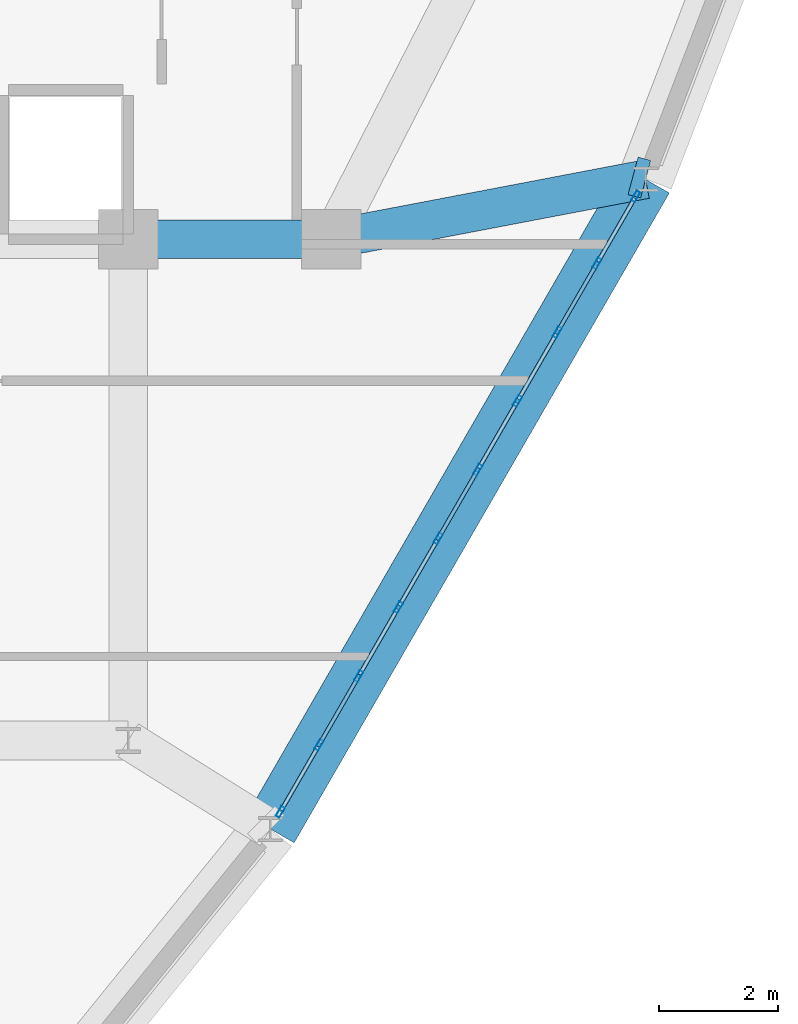
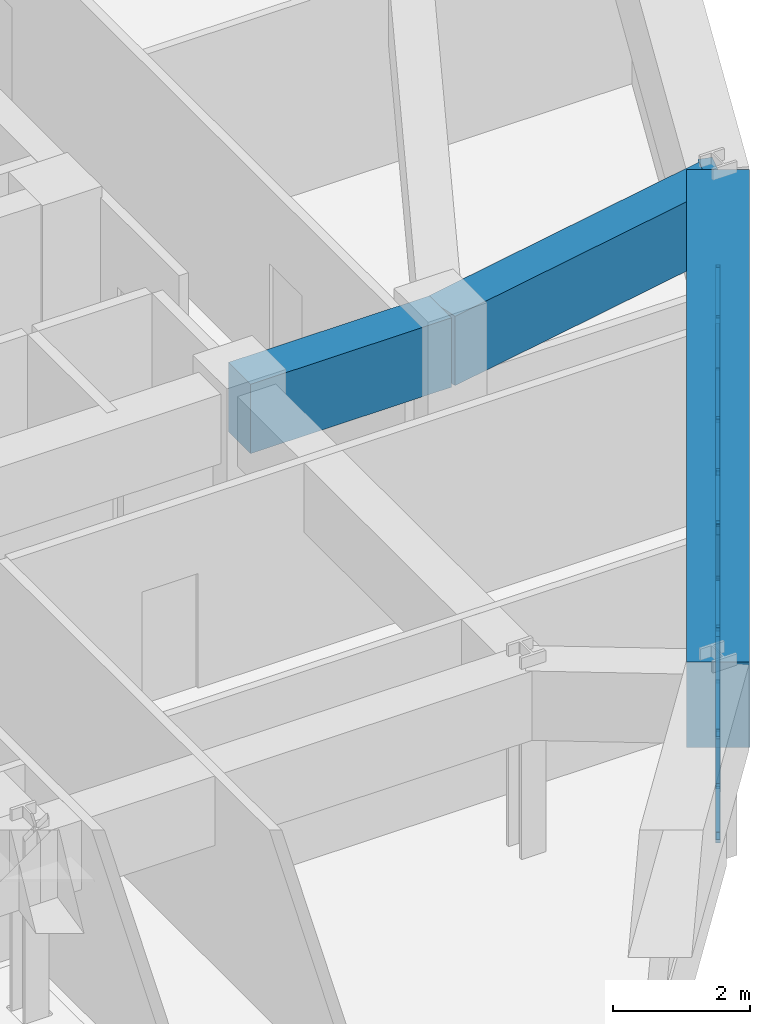
# One storey, part 6 of 14: 31 members, 4 beams, 1 element without a shape of its own.
"""IFC4 building model written with IfcOpenShell, lengths in metres."""

import ifcopenshell
import ifcopenshell.guid

model = None  # the IFC model being written
_history = None  # IfcOwnerHistory: only IFC2X3 demands one
_inside = {}  # id of a spatial element -> (the spatial element, [elements in it])
_under = {}  # id of a project, library or spatial element -> (it, [spatial elements below it])
_declared = {}  # id of a project -> (the project, [libraries it declares])
_typed = {}  # id of a type object -> (the type object, [elements of that type])
_made_of = {}  # id of a material, layer set ... -> (it, [elements and type objects made of it])


def new_model(schema):
    """Start an empty IFC model of exactly this schema.

    Asked for "IFC4X3", IfcOpenShell would pick the latest addendum, in which some entities
    have other attributes; the version numbers below select the first issue.
    IFC2X3 requires an IfcOwnerHistory on every rooted entity: one is made here for all.
    """
    global model, _history
    if schema == "IFC4X3":
        model = ifcopenshell.file(schema_version=(4, 3, 0, 0))
    else:
        model = ifcopenshell.file(schema=schema)
    _inside.clear()
    _under.clear()
    _declared.clear()
    _typed.clear()
    _made_of.clear()
    _history = None
    if model.schema == "IFC2X3":
        org = make("IfcOrganization", Name="unknown")
        user = make(
            "IfcPersonAndOrganization",
            ThePerson=make("IfcPerson", FamilyName="unknown"),
            TheOrganization=org,
        )
        app = make(
            "IfcApplication",
            ApplicationDeveloper=org,
            Version="unknown",
            ApplicationFullName="unknown",
            ApplicationIdentifier="unknown",
        )
        _history = make(
            "IfcOwnerHistory",
            OwningUser=user,
            OwningApplication=app,
            ChangeAction="ADDED",
            CreationDate=0,
        )
    return model


def make(cls, **values):
    """One entity of the class cls with the attributes given. An attribute that is None is left unset."""
    return model.create_entity(
        cls, **{name: value for name, value in values.items() if value is not None}
    )


def rooted(cls, **values):
    """An entity with a GlobalId (a new one), such as an element, a storey or a relation."""
    return make(cls, GlobalId=ifcopenshell.guid.new(), OwnerHistory=_history, **values)


def si_unit(unit_type, name, prefix=None):
    """IfcSIUnit, for example si_unit("LENGTHUNIT", "METRE", prefix="MILLI")."""
    return make("IfcSIUnit", UnitType=unit_type, Prefix=prefix, Name=name)


def derived_unit(unit_type, elements):
    """IfcDerivedUnit: a product of units, each with its exponent."""
    return make(
        "IfcDerivedUnit",
        Elements=[
            make("IfcDerivedUnitElement", Unit=unit, Exponent=power)
            for unit, power in elements
        ],
        UnitType=unit_type,
    )


def assignment(units):
    """IfcUnitAssignment: the units of a project."""
    return None if units is None else make("IfcUnitAssignment", Units=units)


def point(xyz):
    """IfcCartesianPoint."""
    return None if xyz is None else make("IfcCartesianPoint", Coordinates=xyz)


def direction(xyz):
    """IfcDirection."""
    return None if xyz is None else make("IfcDirection", DirectionRatios=xyz)


def frame(location, z_axis=None, x_axis=None):
    """IfcAxis2Placement3D, a coordinate frame: its origin and axes. An axis left out is left unset."""
    return make(
        "IfcAxis2Placement3D",
        Location=point(location),
        Axis=direction(z_axis),
        RefDirection=direction(x_axis),
    )


def frame_2d(location, x_axis=None):
    """IfcAxis2Placement2D, a coordinate frame in the plane: its origin and x axis."""
    return make(
        "IfcAxis2Placement2D", Location=point(location), RefDirection=direction(x_axis)
    )


def origin():
    """The frame at (0, 0, 0) with its axes left unset."""
    return frame((0.0, 0.0, 0.0))


def origin_2d():
    """The frame at (0, 0) in the plane with its x axis left unset."""
    return frame_2d((0.0, 0.0))


def place(relative_to, where):
    """IfcLocalPlacement: puts the frame where relative to a parent placement (None: the world)."""
    return make(
        "IfcLocalPlacement", PlacementRelTo=relative_to, RelativePlacement=where
    )


def context(
    kind, dimensions, precision=None, world=None, true_north=None, identifier=None
):
    """IfcGeometricRepresentationContext, for example the 3D "Model" context."""
    return make(
        "IfcGeometricRepresentationContext",
        ContextIdentifier=identifier,
        ContextType=kind,
        CoordinateSpaceDimension=dimensions,
        Precision=precision,
        WorldCoordinateSystem=world,
        TrueNorth=true_north,
    )


def subcontext(parent, identifier, kind, view, scale=None):
    """IfcGeometricRepresentationSubContext, for example "Body" below "Model"."""
    return make(
        "IfcGeometricRepresentationSubContext",
        ContextIdentifier=identifier,
        ContextType=kind,
        ParentContext=parent,
        TargetScale=scale,
        TargetView=view,
    )


def project(units=None, contexts=None):
    """IfcProject with its units and contexts."""
    return rooted(
        "IfcProject",
        Name="project",
        RepresentationContexts=contexts,
        UnitsInContext=assignment(units),
    )


def spatial(cls, under=None, at=None, **own):
    """A site, building, storey or space (cls), placed at a placement, below another one or the project."""
    s = rooted(cls, ObjectPlacement=at, **own)
    if under is not None:
        _under.setdefault(under.id(), (under, []))[1].append(s)
    return s


def profile(cls, at=None, kind="AREA", **sizes):
    """A parametric profile (cls). Its sizes go by their IFC names, for example OverallWidth=200.0."""
    return make(cls, ProfileType=kind, Position=at, **sizes)


def rectangle(**sizes):
    """IfcRectangleProfileDef."""
    return profile("IfcRectangleProfileDef", **sizes)


def hollow_rectangle(**sizes):
    """IfcRectangleHollowProfileDef."""
    return profile("IfcRectangleHollowProfileDef", **sizes)


def extrude(swept, where, along, depth):
    """IfcExtrudedAreaSolid: the profile swept, set in the frame where, extruded along a direction by depth."""
    return make(
        "IfcExtrudedAreaSolid",
        SweptArea=swept,
        Position=where,
        ExtrudedDirection=direction(along),
        Depth=depth,
    )


def shape(context_of_items, identifier, shape_type, items):
    """IfcShapeRepresentation: the items that make up one representation, for example the "Body"."""
    return make(
        "IfcShapeRepresentation",
        ContextOfItems=context_of_items,
        RepresentationIdentifier=identifier,
        RepresentationType=shape_type,
        Items=items,
    )


def source(mapping_origin, context_of_items, identifier, shape_type, items):
    """IfcRepresentationMap: a shape defined once, which mapped items show again and again."""
    return make(
        "IfcRepresentationMap",
        MappingOrigin=mapping_origin,
        MappedRepresentation=shape(context_of_items, identifier, shape_type, items),
    )


def transform(
    local_origin,
    x_axis=None,
    y_axis=None,
    z_axis=None,
    scale=None,
    scale2=None,
    scale3=None,
    uniform=True,
):
    """IfcCartesianTransformationOperator3D, or its non-uniform kind. x_axis, y_axis, z_axis: its Axis1, 2, 3."""
    if uniform:
        return make(
            "IfcCartesianTransformationOperator3D",
            Axis1=direction(x_axis),
            Axis2=direction(y_axis),
            LocalOrigin=point(local_origin),
            Scale=scale,
            Axis3=direction(z_axis),
        )
    return make(
        "IfcCartesianTransformationOperator3DnonUniform",
        Axis1=direction(x_axis),
        Axis2=direction(y_axis),
        LocalOrigin=point(local_origin),
        Scale=scale,
        Axis3=direction(z_axis),
        Scale2=scale2,
        Scale3=scale3,
    )


def mapped(mapping_source, mapping_target):
    """IfcMappedItem: shows the shape of a source again, moved by a transform."""
    return make(
        "IfcMappedItem", MappingSource=mapping_source, MappingTarget=mapping_target
    )


def material(Name=None, Category=None):
    """IfcMaterial."""
    return make("IfcMaterial", Name=Name, Category=Category)


def layer(
    of_material, thickness, ventilated=None, Name=None, Category=None, Priority=None
):
    """IfcMaterialLayer: one layer of a wall or slab, of a material (None: an air gap)."""
    return make(
        "IfcMaterialLayer",
        Material=of_material,
        LayerThickness=thickness,
        IsVentilated=ventilated,
        Name=Name,
        Category=Category,
        Priority=Priority,
    )


def layer_set(layers, Name=None):
    """IfcMaterialLayerSet."""
    return make("IfcMaterialLayerSet", MaterialLayers=layers, LayerSetName=Name)


def material_profile(
    of_material, cross_section, Name=None, Category=None, Priority=None
):
    """IfcMaterialProfile: a cross section and its material."""
    return make(
        "IfcMaterialProfile",
        Name=Name,
        Material=of_material,
        Profile=cross_section,
        Priority=Priority,
        Category=Category,
    )


def profile_set(profiles, Name=None, composite=None):
    """IfcMaterialProfileSet."""
    return make(
        "IfcMaterialProfileSet",
        Name=Name,
        MaterialProfiles=profiles,
        CompositeProfile=composite,
    )


def made_of(thing, what):
    """Note that an element or type object is made of a material, layer set ...; save() writes the relation."""
    if what is not None:
        _made_of.setdefault(what.id(), (what, []))[1].append(thing)
    return thing


def type_object(cls, material=None, **own):
    """A type object (cls), such as IfcWallType, which elements share."""
    return made_of(rooted(cls, **own), material)


def element(
    cls,
    number,
    at=None,
    inside=None,
    cuts=None,
    type_object=None,
    material=None,
    context=None,
    identifier="Body",
    shape_type=None,
    held_by="IfcProductDefinitionShape",
    body=None,
    shapes=None,
    **own,
):
    """One element of the class cls, such as IfcWall. Its Tag is "e" and its number.

    at: its placement. inside: the storey or other place that contains it. cuts: it is an
    opening in that element (IfcRelVoidsElement). A single representation is given by context,
    identifier, shape_type and body (its items); several are given by shapes. held_by: the class
    of the entity that holds the representations. save() writes the other relations.
    """
    e = rooted(cls, Tag="e%d" % number, ObjectPlacement=at, **own)
    if body is not None:
        shapes = [shape(context, identifier, shape_type, body)]
    if shapes is not None:
        e.Representation = make(held_by, Representations=shapes)
    if inside is not None:
        _inside.setdefault(inside.id(), (inside, []))[1].append(e)
    if cuts is not None:
        rooted(
            "IfcRelVoidsElement", RelatingBuildingElement=cuts, RelatedOpeningElement=e
        )
    if type_object is not None:
        _typed.setdefault(type_object.id(), (type_object, []))[1].append(e)
    return made_of(e, material)


def aggregate(whole, parts):
    """IfcRelAggregates: a whole, such as a stair, and the parts it consists of."""
    return rooted("IfcRelAggregates", RelatingObject=whole, RelatedObjects=parts)


def save(model, path):
    """Write the relations noted so far, then the file.

    IfcRelAggregates (storeys below a building ...), IfcRelContainedInSpatialStructure (elements
    in a storey), IfcRelDefinesByType, IfcRelAssociatesMaterial and IfcRelDeclares: one each for
    every whole, place, type object, material and project.
    """
    for whole, parts in _under.values():
        aggregate(whole, parts)
    for where, things in _inside.values():
        rooted(
            "IfcRelContainedInSpatialStructure",
            RelatedElements=things,
            RelatingStructure=where,
        )
    for kind, things in _typed.values():
        rooted("IfcRelDefinesByType", RelatedObjects=things, RelatingType=kind)
    for what, things in _made_of.values():
        rooted("IfcRelAssociatesMaterial", RelatedObjects=things, RelatingMaterial=what)
    for by, libraries in _declared.values():
        rooted("IfcRelDeclares", RelatingContext=by, RelatedDefinitions=libraries)
    model.write(path)


model = new_model("IFC4")

# Units and contexts
model_context = context("Model", 3, precision=1e-05, world=origin(), true_north=direction((0.0, 1.0)))
body_context = subcontext(model_context, "Body", "Model", "MODEL_VIEW")
ifc_project = project(units=[si_unit("LENGTHUNIT", "METRE"), si_unit("AREAUNIT", "SQUARE_METRE"), si_unit("VOLUMEUNIT", "CUBIC_METRE"), si_unit("PLANEANGLEUNIT", "RADIAN"), si_unit("MASSUNIT", "GRAM", prefix="KILO"), derived_unit("THERMALTRANSMITTANCEUNIT", [(si_unit("POWERUNIT", "WATT"), 1), (si_unit("LENGTHUNIT", "METRE"), -2), (si_unit("THERMODYNAMICTEMPERATUREUNIT", "KELVIN"), -1)])], contexts=[model_context])

# Site, building, storey
site_placement = place(None, origin())
site = spatial("IfcSite", under=ifc_project, at=site_placement, CompositionType="ELEMENT")
building_placement = place(site_placement, origin())
building = spatial("IfcBuilding", under=site, at=building_placement, Name="Korsvarv Bourse and Concert Hall", CompositionType="ELEMENT")
storey_placement = place(building_placement, frame((0.0, 0.0, 186.60009765625)))
storey = spatial("IfcBuildingStorey", under=building, at=storey_placement, Name="L48", CompositionType="ELEMENT", Elevation=186.60009765625)

# Beams
ifc_material_1 = material(Name="Concrete C50/60", Category="concrete")
ifc_material_profile_1 = material_profile(ifc_material_1, rectangle(XDim=0.64990234375, YDim=1.239990234375, at=origin_2d()), Name="RC-BM 650x1240")
ifc_profile_set_1 = profile_set([ifc_material_profile_1], Name="Concrete C50/60")
beam_type_1 = type_object("IfcBeamType", Name="BM-TR-SPN", PredefinedType="BEAM", material=ifc_profile_set_1)
shared_shape_1 = source(origin(), body_context, "Body", "SweptSolid", [
    extrude(rectangle(XDim=0.64990234375, YDim=1.239990234375, at=origin_2d()), origin(), (0.0, 0.0, 1.0), 3.400146484375),
])
beam_1_placement = place(storey_placement, frame((44.39990234375, 32.39990234375, 2.77978515625), z_axis=(1.0, 0.0, 0.0), x_axis=(0.0, 1.0, 0.0)))
element("IfcBeam", 1, at=beam_1_placement, inside=storey, type_object=beam_type_1, Name="L48 beam B-TRS", PredefinedType="BEAM", context=body_context, shape_type="MappedRepresentation", body=[
    mapped(shared_shape_1, transform((0.0, 0.0, 0.0), scale=1.0)),
])
ifc_material_profile_2 = material_profile(ifc_material_1, rectangle(XDim=0.919921875, YDim=1.530029296875, at=origin_2d()), Name="RC-BM 920x1530")
ifc_profile_set_2 = profile_set([ifc_material_profile_2], Name="Concrete C50/60")
beam_type_2 = type_object("IfcBeamType", Name="BM-TR-154", PredefinedType="BEAM", material=ifc_profile_set_2)
shared_shape_2 = source(origin(), body_context, "Body", "SweptSolid", [
    extrude(rectangle(XDim=0.919921875, YDim=1.530029296875, at=origin_2d()), origin(), (0.0, 0.0, 1.0), 12.57861328125),
])
beam_2_placement = place(storey_placement, frame((46.783203125, 22.51220703125, 2.635009765625), z_axis=(0.500003032783, 0.866023652799, 0.0), x_axis=(-0.866023652799, 0.500003032783, 0.0)))
element("IfcBeam", 2, at=beam_2_placement, inside=storey, type_object=beam_type_2, Name="L48 beam B-TR6", PredefinedType="BEAM", context=body_context, shape_type="MappedRepresentation", body=[
    mapped(shared_shape_2, transform((0.0, 0.0, 0.0), scale=1.0)),
])
shared_shape_3 = source(origin(), body_context, "Body", "SweptSolid", [
    extrude(rectangle(XDim=0.64990234375, YDim=1.239990234375, at=origin_2d()), origin(), (0.0, 0.0, 1.0), 5.367431640625),
])
beam_3_placement = place(storey_placement, frame((53.072509765625, 33.405517578125, 2.77978515625), z_axis=(-0.982292753488, -0.187352465809, 0.0), x_axis=(0.187352465809, -0.982292753488, 0.0)))
element("IfcBeam", 3, at=beam_3_placement, inside=storey, type_object=beam_type_1, Name="L48 beam B-TRS", PredefinedType="BEAM", context=body_context, shape_type="MappedRepresentation", body=[
    mapped(shared_shape_3, transform((0.0, 0.0, 0.0), scale=1.0)),
])
shared_shape_4 = source(origin(), body_context, "Body", "SweptSolid", [
    extrude(rectangle(XDim=0.64990234375, YDim=1.239990234375, at=origin_2d()), origin(), (0.0, 0.0, 1.0), 0.21826171875),
])
beam_4_placement = place(storey_placement, frame((53.072509765625, 33.405517578125, 2.77978515625), z_axis=(-0.965712929821, 0.259612282408, 0.0), x_axis=(-0.259612282408, -0.965712929821, 0.0)))
element("IfcBeam", 4, at=beam_4_placement, inside=storey, type_object=beam_type_1, Name="L48 beam B-TRS", PredefinedType="BEAM", context=body_context, shape_type="MappedRepresentation", body=[
    mapped(shared_shape_4, transform((0.0, 0.0, 0.0), scale=1.0)),
])

# Curtain wall, members
ifc_material_2 = material(Name="Anodised aluminium and triple low-E glazing", Category="glass")
ifc_layer = layer(ifc_material_2, 0.199951171875)
ifc_layer_set = layer_set([ifc_layer], Name="Anodised aluminium and triple low-E glazing")
curtain_wall_type = type_object("IfcCurtainWallType", Name="CW-SYS-3", PredefinedType="NOTDEFINED", material=ifc_layer_set)
curtain_wall_placement = place(storey_placement, origin())
curtain_wall = element("IfcCurtainWall", 5, at=curtain_wall_placement, inside=storey, type_object=curtain_wall_type, Name="L48 CW3 curtain wall CW-L48-F11", PredefinedType="NOTDEFINED")
ifc_material_3 = material(Name="Extruded aluminium EN AW-6063 T66", Category="aluminium")
ifc_material_profile_3 = material_profile(ifc_material_3, hollow_rectangle(XDim=0.070068359375, YDim=0.18994140625, WallThickness=0.0048828125, at=origin_2d()), Name="ALU-M 70x190")
ifc_profile_set_3 = profile_set([ifc_material_profile_3], Name="Extruded aluminium EN AW-6063 T66")
member_type_1 = type_object("IfcMemberType", Name="CWM-190", PredefinedType="MULLION", material=ifc_profile_set_3)
shared_shape_5 = source(origin(), body_context, "Body", "SweptSolid", [
    extrude(hollow_rectangle(XDim=0.070068359375, YDim=0.18994140625, WallThickness=0.0048828125, at=origin_2d()), origin(), (0.0, 0.0, 1.0), 1.869873046875),
])
member_1_placement = place(storey_placement, frame((46.94970703125, 22.80029296875, 0.0), z_axis=(0.0, 0.0, 1.0), x_axis=(-0.866028825281, 0.499994073747, 0.0)))
member_1 = element("IfcMember", 6, at=member_1_placement, type_object=member_type_1, Name="CW3 mullion 1", PredefinedType="MULLION", context=body_context, shape_type="MappedRepresentation", body=[
    mapped(shared_shape_5, transform((0.0, 0.0, 0.0), scale=1.0)),
])
member_2_placement = place(storey_placement, frame((47.597900390625, 23.923095703125, 0.0), z_axis=(0.0, 0.0, 1.0), x_axis=(-0.866028825281, 0.499994073747, 0.0)))
member_2 = element("IfcMember", 7, at=member_2_placement, type_object=member_type_1, Name="CW3 mullion 2", PredefinedType="MULLION", context=body_context, shape_type="MappedRepresentation", body=[
    mapped(shared_shape_5, transform((0.0, 0.0, 0.0), scale=1.0)),
])
member_3_placement = place(storey_placement, frame((48.263427734375, 25.076171875, 0.0), z_axis=(0.0, 0.0, 1.0), x_axis=(-0.866028825281, 0.499994073747, 0.0)))
member_3 = element("IfcMember", 8, at=member_3_placement, type_object=member_type_1, Name="CW3 mullion 3", PredefinedType="MULLION", context=body_context, shape_type="MappedRepresentation", body=[
    mapped(shared_shape_5, transform((0.0, 0.0, 0.0), scale=1.0)),
])
member_4_placement = place(storey_placement, frame((48.92919921875, 26.229248046875, 0.0), z_axis=(0.0, 0.0, 1.0), x_axis=(-0.866028825281, 0.499994073747, 0.0)))
member_4 = element("IfcMember", 9, at=member_4_placement, type_object=member_type_1, Name="CW3 mullion 4", PredefinedType="MULLION", context=body_context, shape_type="MappedRepresentation", body=[
    mapped(shared_shape_5, transform((0.0, 0.0, 0.0), scale=1.0)),
])
member_5_placement = place(storey_placement, frame((49.594970703125, 27.38232421875, 0.0), z_axis=(0.0, 0.0, 1.0), x_axis=(-0.866028825281, 0.499994073747, 0.0)))
member_5 = element("IfcMember", 10, at=member_5_placement, type_object=member_type_1, Name="CW3 mullion 5", PredefinedType="MULLION", context=body_context, shape_type="MappedRepresentation", body=[
    mapped(shared_shape_5, transform((0.0, 0.0, 0.0), scale=1.0)),
])
member_6_placement = place(storey_placement, frame((50.260498046875, 28.535400390625, 0.0), z_axis=(0.0, 0.0, 1.0), x_axis=(-0.866028825281, 0.499994073747, 0.0)))
member_6 = element("IfcMember", 11, at=member_6_placement, type_object=member_type_1, Name="CW3 mullion 6", PredefinedType="MULLION", context=body_context, shape_type="MappedRepresentation", body=[
    mapped(shared_shape_5, transform((0.0, 0.0, 0.0), scale=1.0)),
])
member_7_placement = place(storey_placement, frame((50.92626953125, 29.6884765625, 0.0), z_axis=(0.0, 0.0, 1.0), x_axis=(-0.866028825281, 0.499994073747, 0.0)))
member_7 = element("IfcMember", 12, at=member_7_placement, type_object=member_type_1, Name="CW3 mullion 7", PredefinedType="MULLION", context=body_context, shape_type="MappedRepresentation", body=[
    mapped(shared_shape_5, transform((0.0, 0.0, 0.0), scale=1.0)),
])
member_8_placement = place(storey_placement, frame((51.592041015625, 30.84130859375, 0.0), z_axis=(0.0, 0.0, 1.0), x_axis=(-0.866028825281, 0.499994073747, 0.0)))
member_8 = element("IfcMember", 13, at=member_8_placement, type_object=member_type_1, Name="CW3 mullion 8", PredefinedType="MULLION", context=body_context, shape_type="MappedRepresentation", body=[
    mapped(shared_shape_5, transform((0.0, 0.0, 0.0), scale=1.0)),
])
member_9_placement = place(storey_placement, frame((52.2578125, 31.994384765625, 0.0), z_axis=(0.0, 0.0, 1.0), x_axis=(-0.866028825281, 0.499994073747, 0.0)))
member_9 = element("IfcMember", 14, at=member_9_placement, type_object=member_type_1, Name="CW3 mullion 9", PredefinedType="MULLION", context=body_context, shape_type="MappedRepresentation", body=[
    mapped(shared_shape_5, transform((0.0, 0.0, 0.0), scale=1.0)),
])
member_10_placement = place(storey_placement, frame((52.906005859375, 33.1171875, 0.0), z_axis=(0.0, 0.0, 1.0), x_axis=(-0.866028825281, 0.499994073747, 0.0)))
member_10 = element("IfcMember", 15, at=member_10_placement, type_object=member_type_1, Name="CW3 mullion 10", PredefinedType="MULLION", context=body_context, shape_type="MappedRepresentation", body=[
    mapped(shared_shape_5, transform((0.0, 0.0, 0.0), scale=1.0)),
])
ifc_material_profile_4 = material_profile(ifc_material_3, hollow_rectangle(XDim=0.06494140625, YDim=0.139892578125, WallThickness=0.00390625, at=origin_2d()), Name="ALU-T 65x140")
ifc_profile_set_4 = profile_set([ifc_material_profile_4], Name="Extruded aluminium EN AW-6063 T66")
member_type_2 = type_object("IfcMemberType", Name="CWT-140", PredefinedType="USERDEFINED", material=ifc_profile_set_4)
shared_shape_6 = source(origin(), body_context, "Body", "SweptSolid", [
    extrude(hollow_rectangle(XDim=0.06494140625, YDim=0.139892578125, WallThickness=0.00390625, at=origin_2d()), origin(), (0.0, 0.0, 1.0), 1.2265625),
])
member_11_placement = place(storey_placement, frame((52.275146484375, 32.024658203125, 0.032470703125), z_axis=(0.49999238347, 0.866029801145, 0.0), x_axis=(-0.866029801145, 0.49999238347, 0.0)))
member_11 = element("IfcMember", 16, at=member_11_placement, type_object=member_type_2, Name="CW3 transom 9.1", ObjectType="TRANSOM", PredefinedType="USERDEFINED", context=body_context, shape_type="MappedRepresentation", body=[
    mapped(shared_shape_6, transform((0.0, 0.0, 0.0), scale=1.0)),
])
member_12_placement = place(storey_placement, frame((52.275146484375, 32.024658203125, 1.83740234375), z_axis=(0.49999238347, 0.866029801145, 0.0), x_axis=(-0.866029801145, 0.49999238347, 0.0)))
member_12 = element("IfcMember", 17, at=member_12_placement, type_object=member_type_2, Name="CW3 transom 9.2", ObjectType="TRANSOM", PredefinedType="USERDEFINED", context=body_context, shape_type="MappedRepresentation", body=[
    mapped(shared_shape_6, transform((0.0, 0.0, 0.0), scale=1.0)),
])
shared_shape_7 = source(origin(), body_context, "Body", "SweptSolid", [
    extrude(hollow_rectangle(XDim=0.06494140625, YDim=0.139892578125, WallThickness=0.00390625, at=origin_2d()), origin(), (0.0, 0.0, 1.0), 1.26123046875),
])
member_13_placement = place(storey_placement, frame((50.278076171875, 28.565673828125, 0.032470703125), z_axis=(0.499990548297, 0.866030860659, 0.0), x_axis=(-0.866030860659, 0.499990548297, 0.0)))
member_13 = element("IfcMember", 18, at=member_13_placement, type_object=member_type_2, Name="CW3 transom 6.1", ObjectType="TRANSOM", PredefinedType="USERDEFINED", context=body_context, shape_type="MappedRepresentation", body=[
    mapped(shared_shape_7, transform((0.0, 0.0, 0.0), scale=1.0)),
])
member_14_placement = place(storey_placement, frame((50.278076171875, 28.565673828125, 1.83740234375), z_axis=(0.499990548297, 0.866030860659, 0.0), x_axis=(-0.866030860659, 0.499990548297, 0.0)))
member_14 = element("IfcMember", 19, at=member_14_placement, type_object=member_type_2, Name="CW3 transom 6.2", ObjectType="TRANSOM", PredefinedType="USERDEFINED", context=body_context, shape_type="MappedRepresentation", body=[
    mapped(shared_shape_7, transform((0.0, 0.0, 0.0), scale=1.0)),
])
member_15_placement = place(storey_placement, frame((50.94384765625, 29.71875, 0.032470703125), z_axis=(0.499990548297, 0.866030860659, 0.0), x_axis=(-0.866030860659, 0.499990548297, 0.0)))
member_15 = element("IfcMember", 20, at=member_15_placement, type_object=member_type_2, Name="CW3 transom 7.1", ObjectType="TRANSOM", PredefinedType="USERDEFINED", context=body_context, shape_type="MappedRepresentation", body=[
    mapped(shared_shape_7, transform((0.0, 0.0, 0.0), scale=1.0)),
])
member_16_placement = place(storey_placement, frame((50.94384765625, 29.71875, 1.83740234375), z_axis=(0.499990548297, 0.866030860659, 0.0), x_axis=(-0.866030860659, 0.499990548297, 0.0)))
member_16 = element("IfcMember", 21, at=member_16_placement, type_object=member_type_2, Name="CW3 transom 7.2", ObjectType="TRANSOM", PredefinedType="USERDEFINED", context=body_context, shape_type="MappedRepresentation", body=[
    mapped(shared_shape_7, transform((0.0, 0.0, 0.0), scale=1.0)),
])
member_17_placement = place(storey_placement, frame((51.609619140625, 30.871826171875, 0.032470703125), z_axis=(0.499990548297, 0.866030860659, 0.0), x_axis=(-0.866030860659, 0.499990548297, 0.0)))
member_17 = element("IfcMember", 22, at=member_17_placement, type_object=member_type_2, Name="CW3 transom 8.1", ObjectType="TRANSOM", PredefinedType="USERDEFINED", context=body_context, shape_type="MappedRepresentation", body=[
    mapped(shared_shape_7, transform((0.0, 0.0, 0.0), scale=1.0)),
])
member_18_placement = place(storey_placement, frame((51.609619140625, 30.871826171875, 1.83740234375), z_axis=(0.499990548297, 0.866030860659, 0.0), x_axis=(-0.866030860659, 0.499990548297, 0.0)))
member_18 = element("IfcMember", 23, at=member_18_placement, type_object=member_type_2, Name="CW3 transom 8.2", ObjectType="TRANSOM", PredefinedType="USERDEFINED", context=body_context, shape_type="MappedRepresentation", body=[
    mapped(shared_shape_7, transform((0.0, 0.0, 0.0), scale=1.0)),
])
ifc_material_profile_5 = material_profile(ifc_material_3, hollow_rectangle(XDim=0.06494140625, YDim=0.1650390625, WallThickness=0.0048828125, at=origin_2d()), Name="ALU-M 65x165")
ifc_profile_set_5 = profile_set([ifc_material_profile_5], Name="Extruded aluminium EN AW-6063 T66")
member_type_3 = type_object("IfcMemberType", Name="CWM-165", PredefinedType="MULLION", material=ifc_profile_set_5)
shared_shape_8 = source(origin(), body_context, "Body", "SweptSolid", [
    extrude(hollow_rectangle(XDim=0.06494140625, YDim=0.1650390625, WallThickness=0.0048828125, at=origin_2d()), origin(), (0.0, 0.0, 1.0), 2.14892578125),
])
member_19_placement = place(storey_placement, frame((51.609619140625, 30.871826171875, 0.06494140625), z_axis=(0.293441848657, 0.508269001506, 0.809663203786), x_axis=(-0.866030860659, 0.499990548297, 0.0)))
member_19 = element("IfcMember", 24, at=member_19_placement, type_object=member_type_3, Name="CW3 diagonal mullion 8", PredefinedType="MULLION", context=body_context, shape_type="MappedRepresentation", body=[
    mapped(shared_shape_8, transform((0.0, 0.0, 0.0), scale=1.0)),
])
shared_shape_9 = source(origin(), body_context, "Body", "SweptSolid", [
    extrude(hollow_rectangle(XDim=0.06494140625, YDim=0.139892578125, WallThickness=0.00390625, at=origin_2d()), origin(), (0.0, 0.0, 1.0), 1.261474609375),
])
member_20_placement = place(storey_placement, frame((47.615234375, 23.953369140625, 0.032470703125), z_axis=(0.500051892845, 0.865995441363, 0.0), x_axis=(-0.865995441363, 0.500051892845, 0.0)))
member_20 = element("IfcMember", 25, at=member_20_placement, type_object=member_type_2, Name="CW3 transom 2.1", ObjectType="TRANSOM", PredefinedType="USERDEFINED", context=body_context, shape_type="MappedRepresentation", body=[
    mapped(shared_shape_9, transform((0.0, 0.0, 0.0), scale=1.0)),
])
member_21_placement = place(storey_placement, frame((47.615234375, 23.953369140625, 1.83740234375), z_axis=(0.500051892845, 0.865995441363, 0.0), x_axis=(-0.865995441363, 0.500051892845, 0.0)))
member_21 = element("IfcMember", 26, at=member_21_placement, type_object=member_type_2, Name="CW3 transom 2.2", ObjectType="TRANSOM", PredefinedType="USERDEFINED", context=body_context, shape_type="MappedRepresentation", body=[
    mapped(shared_shape_9, transform((0.0, 0.0, 0.0), scale=1.0)),
])
member_22_placement = place(storey_placement, frame((48.281005859375, 25.1064453125, 0.032470703125), z_axis=(0.499906742921, 0.86607923909, 0.0), x_axis=(-0.86607923909, 0.499906742921, 0.0)))
member_22 = element("IfcMember", 27, at=member_22_placement, type_object=member_type_2, Name="CW3 transom 3.1", ObjectType="TRANSOM", PredefinedType="USERDEFINED", context=body_context, shape_type="MappedRepresentation", body=[
    mapped(shared_shape_9, transform((0.0, 0.0, 0.0), scale=1.0)),
])
member_23_placement = place(storey_placement, frame((48.281005859375, 25.1064453125, 1.83740234375), z_axis=(0.499906742921, 0.86607923909, 0.0), x_axis=(-0.86607923909, 0.499906742921, 0.0)))
member_23 = element("IfcMember", 28, at=member_23_placement, type_object=member_type_2, Name="CW3 transom 3.2", ObjectType="TRANSOM", PredefinedType="USERDEFINED", context=body_context, shape_type="MappedRepresentation", body=[
    mapped(shared_shape_9, transform((0.0, 0.0, 0.0), scale=1.0)),
])
member_24_placement = place(storey_placement, frame((48.94677734375, 26.259521484375, 0.032470703125), z_axis=(0.499906742921, 0.86607923909, 0.0), x_axis=(-0.86607923909, 0.499906742921, 0.0)))
member_24 = element("IfcMember", 29, at=member_24_placement, type_object=member_type_2, Name="CW3 transom 4.1", ObjectType="TRANSOM", PredefinedType="USERDEFINED", context=body_context, shape_type="MappedRepresentation", body=[
    mapped(shared_shape_9, transform((0.0, 0.0, 0.0), scale=1.0)),
])
member_25_placement = place(storey_placement, frame((48.94677734375, 26.259521484375, 1.83740234375), z_axis=(0.499906742921, 0.86607923909, 0.0), x_axis=(-0.86607923909, 0.499906742921, 0.0)))
member_25 = element("IfcMember", 30, at=member_25_placement, type_object=member_type_2, Name="CW3 transom 4.2", ObjectType="TRANSOM", PredefinedType="USERDEFINED", context=body_context, shape_type="MappedRepresentation", body=[
    mapped(shared_shape_9, transform((0.0, 0.0, 0.0), scale=1.0)),
])
member_26_placement = place(storey_placement, frame((49.6123046875, 27.41259765625, 0.032470703125), z_axis=(0.500051892845, 0.865995441363, 0.0), x_axis=(-0.865995441363, 0.500051892845, 0.0)))
member_26 = element("IfcMember", 31, at=member_26_placement, type_object=member_type_2, Name="CW3 transom 5.1", ObjectType="TRANSOM", PredefinedType="USERDEFINED", context=body_context, shape_type="MappedRepresentation", body=[
    mapped(shared_shape_9, transform((0.0, 0.0, 0.0), scale=1.0)),
])
member_27_placement = place(storey_placement, frame((49.6123046875, 27.41259765625, 1.83740234375), z_axis=(0.500051892845, 0.865995441363, 0.0), x_axis=(-0.865995441363, 0.500051892845, 0.0)))
member_27 = element("IfcMember", 32, at=member_27_placement, type_object=member_type_2, Name="CW3 transom 5.2", ObjectType="TRANSOM", PredefinedType="USERDEFINED", context=body_context, shape_type="MappedRepresentation", body=[
    mapped(shared_shape_9, transform((0.0, 0.0, 0.0), scale=1.0)),
])
shared_shape_10 = source(origin(), body_context, "Body", "SweptSolid", [
    extrude(hollow_rectangle(XDim=0.06494140625, YDim=0.1650390625, WallThickness=0.0048828125, at=origin_2d()), origin(), (0.0, 0.0, 1.0), 2.149169921875),
])
member_28_placement = place(storey_placement, frame((47.615234375, 23.953369140625, 0.06494140625), z_axis=(0.293528717011, 0.508336303648, 0.809589460581), x_axis=(-0.865995441363, 0.500051892845, 0.0)))
member_28 = element("IfcMember", 33, at=member_28_placement, type_object=member_type_3, Name="CW3 diagonal mullion 2", PredefinedType="MULLION", context=body_context, shape_type="MappedRepresentation", body=[
    mapped(shared_shape_10, transform((0.0, 0.0, 0.0), scale=1.0)),
])
member_29_placement = place(storey_placement, frame((50.2431640625, 28.505126953125, 0.06494140625), z_axis=(-0.293528717011, -0.508336303648, 0.809589460581), x_axis=(0.865995441363, -0.500051892845, 0.0)))
member_29 = element("IfcMember", 34, at=member_29_placement, type_object=member_type_3, Name="CW3 diagonal mullion 5", PredefinedType="MULLION", context=body_context, shape_type="MappedRepresentation", body=[
    mapped(shared_shape_10, transform((0.0, 0.0, 0.0), scale=1.0)),
])
shared_shape_11 = source(origin(), body_context, "Body", "SweptSolid", [
    extrude(hollow_rectangle(XDim=0.06494140625, YDim=0.139892578125, WallThickness=0.00390625, at=origin_2d()), origin(), (0.0, 0.0, 1.0), 1.226318359375),
])
member_30_placement = place(storey_placement, frame((46.967041015625, 22.830810546875, 0.032470703125), z_axis=(0.500078582497, 0.865980029404, 0.0), x_axis=(-0.865980029404, 0.500078582497, 0.0)))
member_30 = element("IfcMember", 35, at=member_30_placement, type_object=member_type_2, Name="CW3 transom 1.1", ObjectType="TRANSOM", PredefinedType="USERDEFINED", context=body_context, shape_type="MappedRepresentation", body=[
    mapped(shared_shape_11, transform((0.0, 0.0, 0.0), scale=1.0)),
])
member_31_placement = place(storey_placement, frame((46.967041015625, 22.830810546875, 1.83740234375), z_axis=(0.500078582497, 0.865980029404, 0.0), x_axis=(-0.865980029404, 0.500078582497, 0.0)))
member_31 = element("IfcMember", 36, at=member_31_placement, type_object=member_type_2, Name="CW3 transom 1.2", ObjectType="TRANSOM", PredefinedType="USERDEFINED", context=body_context, shape_type="MappedRepresentation", body=[
    mapped(shared_shape_11, transform((0.0, 0.0, 0.0), scale=1.0)),
])
aggregate(curtain_wall, [member_1, member_2, member_3, member_4, member_5, member_6, member_7, member_8, member_9, member_10, member_30, member_31, member_20, member_21, member_28, member_22, member_23, member_24, member_25, member_26, member_27, member_29, member_13, member_14, member_15, member_16, member_17, member_18, member_19, member_11, member_12])

save(model, "model.ifc")
